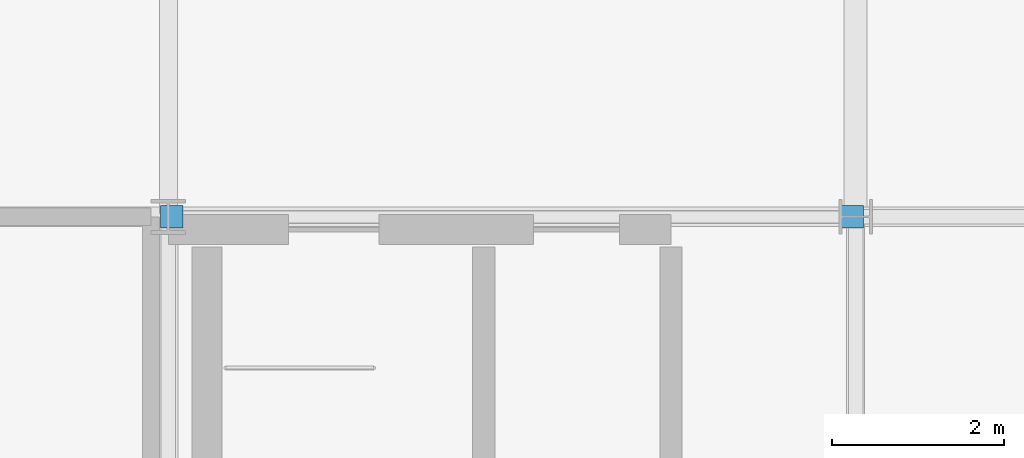
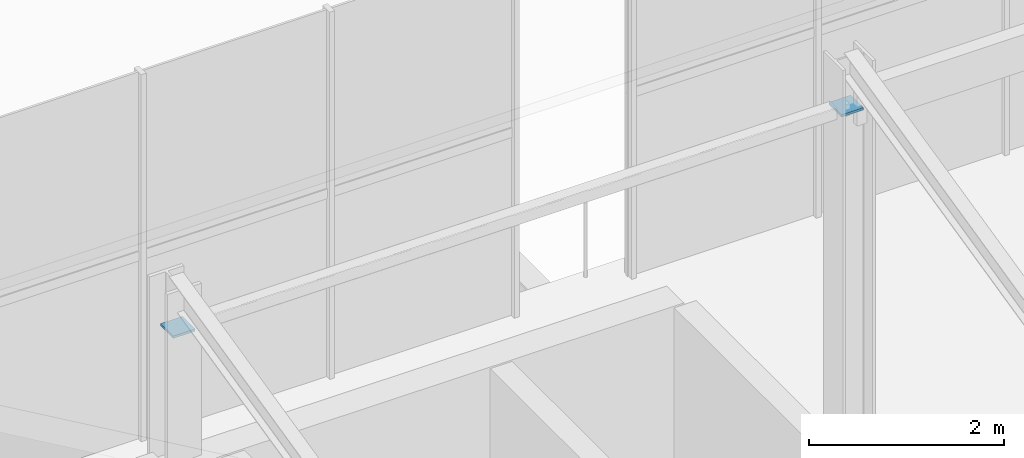
# One storey, part 58 of 70: 2 discrete accessories.
"""IFC4 building model written with IfcOpenShell, lengths in metres."""

import ifcopenshell
import ifcopenshell.guid

model = None  # the IFC model being written
_history = None  # IfcOwnerHistory: only IFC2X3 demands one
_inside = {}  # id of a spatial element -> (the spatial element, [elements in it])
_under = {}  # id of a project, library or spatial element -> (it, [spatial elements below it])
_declared = {}  # id of a project -> (the project, [libraries it declares])
_typed = {}  # id of a type object -> (the type object, [elements of that type])
_made_of = {}  # id of a material, layer set ... -> (it, [elements and type objects made of it])


def new_model(schema):
    """Start an empty IFC model of exactly this schema.

    Asked for "IFC4X3", IfcOpenShell would pick the latest addendum, in which some entities
    have other attributes; the version numbers below select the first issue.
    IFC2X3 requires an IfcOwnerHistory on every rooted entity: one is made here for all.
    """
    global model, _history
    if schema == "IFC4X3":
        model = ifcopenshell.file(schema_version=(4, 3, 0, 0))
    else:
        model = ifcopenshell.file(schema=schema)
    _inside.clear()
    _under.clear()
    _declared.clear()
    _typed.clear()
    _made_of.clear()
    _history = None
    if model.schema == "IFC2X3":
        org = make("IfcOrganization", Name="unknown")
        user = make(
            "IfcPersonAndOrganization",
            ThePerson=make("IfcPerson", FamilyName="unknown"),
            TheOrganization=org,
        )
        app = make(
            "IfcApplication",
            ApplicationDeveloper=org,
            Version="unknown",
            ApplicationFullName="unknown",
            ApplicationIdentifier="unknown",
        )
        _history = make(
            "IfcOwnerHistory",
            OwningUser=user,
            OwningApplication=app,
            ChangeAction="ADDED",
            CreationDate=0,
        )
    return model


def make(cls, **values):
    """One entity of the class cls with the attributes given. An attribute that is None is left unset."""
    return model.create_entity(
        cls, **{name: value for name, value in values.items() if value is not None}
    )


def rooted(cls, **values):
    """An entity with a GlobalId (a new one), such as an element, a storey or a relation."""
    return make(cls, GlobalId=ifcopenshell.guid.new(), OwnerHistory=_history, **values)


def si_unit(unit_type, name, prefix=None):
    """IfcSIUnit, for example si_unit("LENGTHUNIT", "METRE", prefix="MILLI")."""
    return make("IfcSIUnit", UnitType=unit_type, Prefix=prefix, Name=name)


def assignment(units):
    """IfcUnitAssignment: the units of a project."""
    return None if units is None else make("IfcUnitAssignment", Units=units)


def point(xyz):
    """IfcCartesianPoint."""
    return None if xyz is None else make("IfcCartesianPoint", Coordinates=xyz)


def direction(xyz):
    """IfcDirection."""
    return None if xyz is None else make("IfcDirection", DirectionRatios=xyz)


def frame(location, z_axis=None, x_axis=None):
    """IfcAxis2Placement3D, a coordinate frame: its origin and axes. An axis left out is left unset."""
    return make(
        "IfcAxis2Placement3D",
        Location=point(location),
        Axis=direction(z_axis),
        RefDirection=direction(x_axis),
    )


def frame_2d(location, x_axis=None):
    """IfcAxis2Placement2D, a coordinate frame in the plane: its origin and x axis."""
    return make(
        "IfcAxis2Placement2D", Location=point(location), RefDirection=direction(x_axis)
    )


def origin():
    """The frame at (0, 0, 0) with its axes left unset."""
    return frame((0.0, 0.0, 0.0))


def origin_2d():
    """The frame at (0, 0) in the plane with its x axis left unset."""
    return frame_2d((0.0, 0.0))


def place(relative_to, where):
    """IfcLocalPlacement: puts the frame where relative to a parent placement (None: the world)."""
    return make(
        "IfcLocalPlacement", PlacementRelTo=relative_to, RelativePlacement=where
    )


def context(
    kind, dimensions, precision=None, world=None, true_north=None, identifier=None
):
    """IfcGeometricRepresentationContext, for example the 3D "Model" context."""
    return make(
        "IfcGeometricRepresentationContext",
        ContextIdentifier=identifier,
        ContextType=kind,
        CoordinateSpaceDimension=dimensions,
        Precision=precision,
        WorldCoordinateSystem=world,
        TrueNorth=true_north,
    )


def subcontext(parent, identifier, kind, view, scale=None):
    """IfcGeometricRepresentationSubContext, for example "Body" below "Model"."""
    return make(
        "IfcGeometricRepresentationSubContext",
        ContextIdentifier=identifier,
        ContextType=kind,
        ParentContext=parent,
        TargetScale=scale,
        TargetView=view,
    )


def project(units=None, contexts=None):
    """IfcProject with its units and contexts."""
    return rooted(
        "IfcProject",
        Name="project",
        RepresentationContexts=contexts,
        UnitsInContext=assignment(units),
    )


def spatial(cls, under=None, at=None, **own):
    """A site, building, storey or space (cls), placed at a placement, below another one or the project."""
    s = rooted(cls, ObjectPlacement=at, **own)
    if under is not None:
        _under.setdefault(under.id(), (under, []))[1].append(s)
    return s


def profile(cls, at=None, kind="AREA", **sizes):
    """A parametric profile (cls). Its sizes go by their IFC names, for example OverallWidth=200.0."""
    return make(cls, ProfileType=kind, Position=at, **sizes)


def rectangle(**sizes):
    """IfcRectangleProfileDef."""
    return profile("IfcRectangleProfileDef", **sizes)


def extrude(swept, where, along, depth):
    """IfcExtrudedAreaSolid: the profile swept, set in the frame where, extruded along a direction by depth."""
    return make(
        "IfcExtrudedAreaSolid",
        SweptArea=swept,
        Position=where,
        ExtrudedDirection=direction(along),
        Depth=depth,
    )


def shape(context_of_items, identifier, shape_type, items):
    """IfcShapeRepresentation: the items that make up one representation, for example the "Body"."""
    return make(
        "IfcShapeRepresentation",
        ContextOfItems=context_of_items,
        RepresentationIdentifier=identifier,
        RepresentationType=shape_type,
        Items=items,
    )


def material(Name=None, Category=None):
    """IfcMaterial."""
    return make("IfcMaterial", Name=Name, Category=Category)


def made_of(thing, what):
    """Note that an element or type object is made of a material, layer set ...; save() writes the relation."""
    if what is not None:
        _made_of.setdefault(what.id(), (what, []))[1].append(thing)
    return thing


def type_object(cls, material=None, **own):
    """A type object (cls), such as IfcWallType, which elements share."""
    return made_of(rooted(cls, **own), material)


def element(
    cls,
    number,
    at=None,
    inside=None,
    cuts=None,
    type_object=None,
    material=None,
    context=None,
    identifier="Body",
    shape_type=None,
    held_by="IfcProductDefinitionShape",
    body=None,
    shapes=None,
    **own,
):
    """One element of the class cls, such as IfcWall. Its Tag is "e" and its number.

    at: its placement. inside: the storey or other place that contains it. cuts: it is an
    opening in that element (IfcRelVoidsElement). A single representation is given by context,
    identifier, shape_type and body (its items); several are given by shapes. held_by: the class
    of the entity that holds the representations. save() writes the other relations.
    """
    e = rooted(cls, Tag="e%d" % number, ObjectPlacement=at, **own)
    if body is not None:
        shapes = [shape(context, identifier, shape_type, body)]
    if shapes is not None:
        e.Representation = make(held_by, Representations=shapes)
    if inside is not None:
        _inside.setdefault(inside.id(), (inside, []))[1].append(e)
    if cuts is not None:
        rooted(
            "IfcRelVoidsElement", RelatingBuildingElement=cuts, RelatedOpeningElement=e
        )
    if type_object is not None:
        _typed.setdefault(type_object.id(), (type_object, []))[1].append(e)
    return made_of(e, material)


def aggregate(whole, parts):
    """IfcRelAggregates: a whole, such as a stair, and the parts it consists of."""
    return rooted("IfcRelAggregates", RelatingObject=whole, RelatedObjects=parts)


def save(model, path):
    """Write the relations noted so far, then the file.

    IfcRelAggregates (storeys below a building ...), IfcRelContainedInSpatialStructure (elements
    in a storey), IfcRelDefinesByType, IfcRelAssociatesMaterial and IfcRelDeclares: one each for
    every whole, place, type object, material and project.
    """
    for whole, parts in _under.values():
        aggregate(whole, parts)
    for where, things in _inside.values():
        rooted(
            "IfcRelContainedInSpatialStructure",
            RelatedElements=things,
            RelatingStructure=where,
        )
    for kind, things in _typed.values():
        rooted("IfcRelDefinesByType", RelatedObjects=things, RelatingType=kind)
    for what, things in _made_of.values():
        rooted("IfcRelAssociatesMaterial", RelatedObjects=things, RelatingMaterial=what)
    for by, libraries in _declared.values():
        rooted("IfcRelDeclares", RelatingContext=by, RelatedDefinitions=libraries)
    model.write(path)


model = new_model("IFC4")

# Units and contexts
model_context = context("Model", 3, precision=1e-05, world=origin(), true_north=direction((0.0, 1.0)))
body_context = subcontext(model_context, "Body", "Model", "MODEL_VIEW")
ifc_project = project(units=[si_unit("LENGTHUNIT", "METRE"), si_unit("AREAUNIT", "SQUARE_METRE"), si_unit("VOLUMEUNIT", "CUBIC_METRE"), si_unit("PLANEANGLEUNIT", "RADIAN"), si_unit("MASSUNIT", "GRAM", prefix="KILO")], contexts=[model_context])

# Site, building, storey
site_placement = place(None, origin())
site = spatial("IfcSite", under=ifc_project, at=site_placement, CompositionType="ELEMENT")
building_placement = place(site_placement, origin())
building = spatial("IfcBuilding", under=site, at=building_placement, Name="Brisemont Oceanarium", CompositionType="ELEMENT")
storey_placement = place(building_placement, frame((0.0, 0.0, 10.199951171875)))
storey = spatial("IfcBuildingStorey", under=building, at=storey_placement, Name="L02", CompositionType="ELEMENT", Elevation=10.199951171875)

# Discrete accessories
ifc_material = material(Name="Structural Steel ASTM A572 Gr.50", Category="steel")
discrete_accessory_type = type_object("IfcDiscreteAccessoryType", Name="ACC-CAP-STL", PredefinedType="ANCHORPLATE", material=ifc_material)
for number, where, z_axis, x_axis, name in (
    (1, (64.0400390625, 88.0, 5.81494140625), (0.0, 0.0, 1.0), (1.0, 0.0, 0.0), "V7E purlin 1 welded end cap 1"),
    (2, (71.9599609375, 88.0, 5.81494140625), (0.0, 0.0, 1.0), (1.0, 0.0, 0.0), "V7E purlin 1 welded end cap 2"),
):
    element("IfcDiscreteAccessory", number, at=place(storey_placement, frame(where, z_axis=z_axis, x_axis=x_axis)), inside=storey, type_object=discrete_accessory_type, Name=name, PredefinedType="ANCHORPLATE", context=body_context, shape_type="SweptSolid", body=[
        extrude(rectangle(XDim=0.260009765625, YDim=0.260009765625, at=origin_2d()), origin(), (0.0, 0.0, 1.0), 0.030029296875),
    ])

save(model, "model.ifc")
